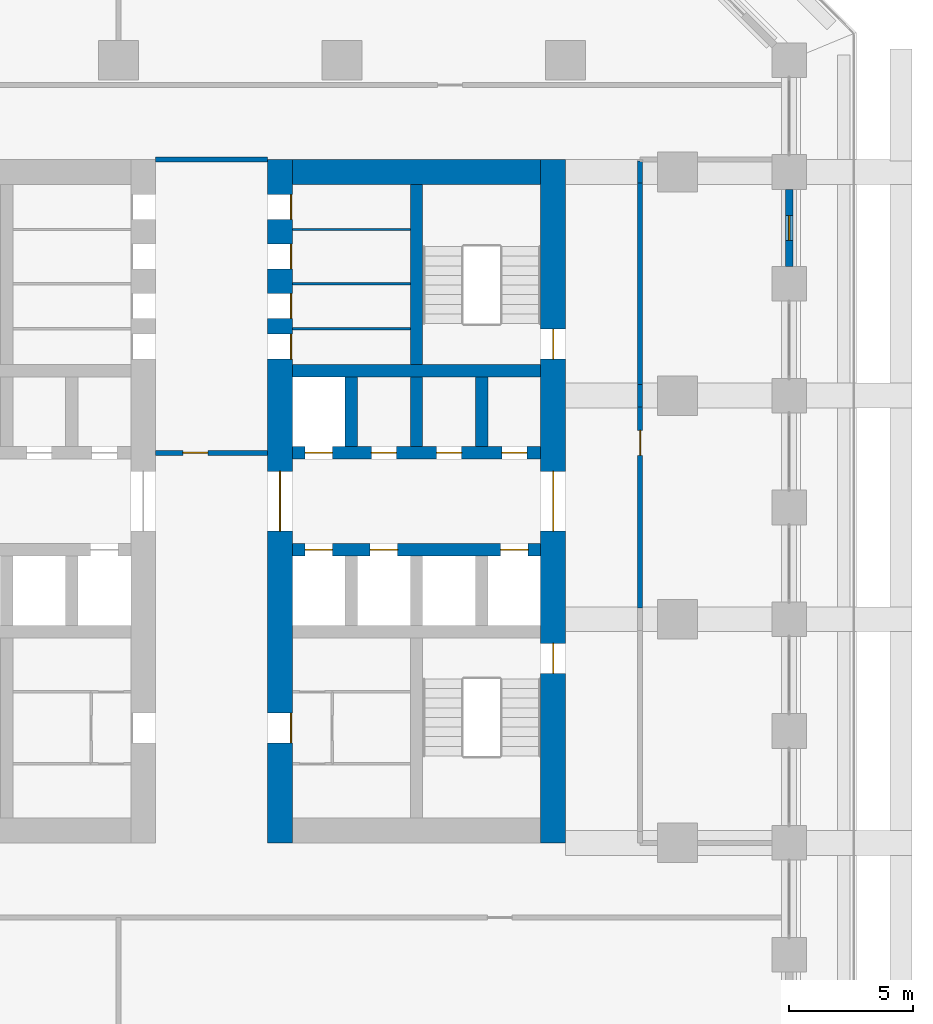
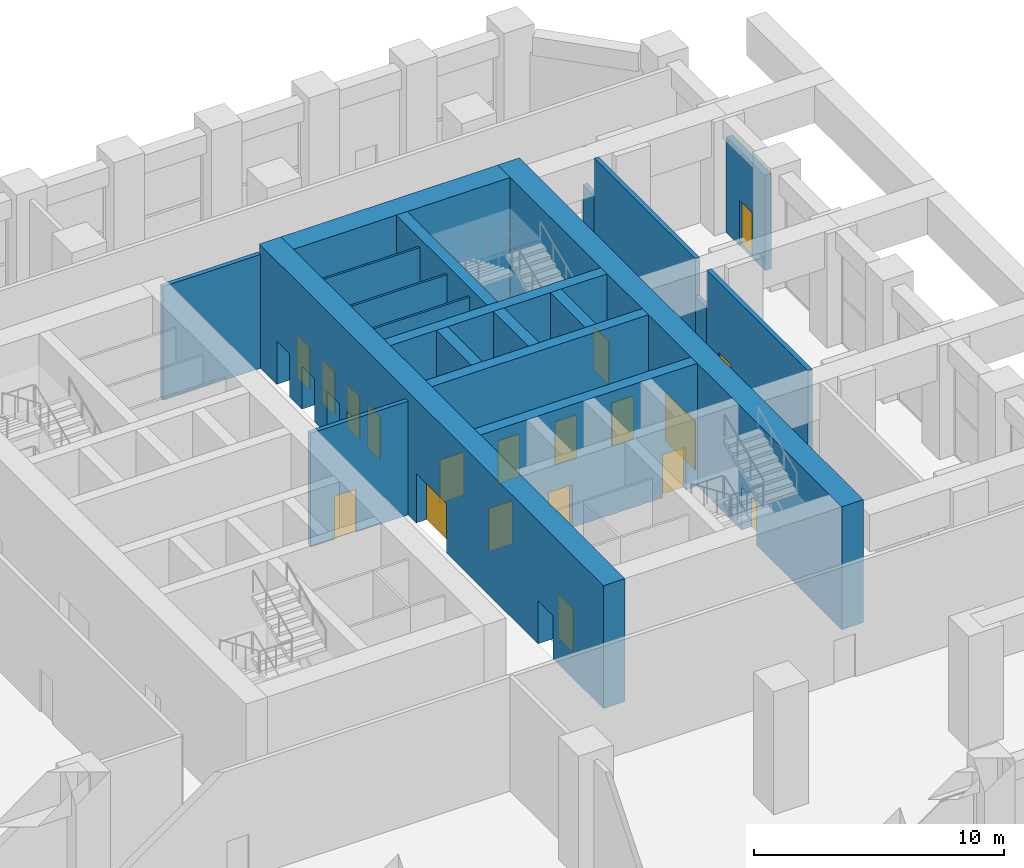
# One storey, part 14 of 21: 20 walls, 19 doors, 19 openings.
"""IFC4 building model written with IfcOpenShell, lengths in metres."""

from ifc_helpers import new_model, si_unit, direction, frame, frame_2d, origin, place, context, subcontext, project, spatial, rectangle, extrude, material, layer, layer_set, type_object, element, fill, save


model = new_model("IFC4")

# Units and contexts
model_context = context("Model", 3, precision=1e-05, world=origin(), true_north=direction((0.0, 1.0)))
body_context = subcontext(model_context, "Body", "Model", "MODEL_VIEW")
ifc_project = project(units=[si_unit("LENGTHUNIT", "METRE"), si_unit("AREAUNIT", "SQUARE_METRE"), si_unit("VOLUMEUNIT", "CUBIC_METRE"), si_unit("PLANEANGLEUNIT", "RADIAN"), si_unit("MASSUNIT", "GRAM", prefix="KILO")], contexts=[model_context])

# Site, building, storey
site_placement = place(None, origin())
site = spatial("IfcSite", under=ifc_project, at=site_placement, CompositionType="ELEMENT")
building_placement = place(site_placement, origin())
building = spatial("IfcBuilding", under=site, at=building_placement, Name="Corbel Stack Research Tower", CompositionType="ELEMENT")
storey_placement = place(building_placement, frame((0.0, 0.0, 35.89990234375)))
storey = spatial("IfcBuildingStorey", under=building, at=storey_placement, Name="L08", CompositionType="ELEMENT", Elevation=35.89990234375)

# Wall, openings, doors
ifc_material_1 = material(Name="Concrete C70/85", Category="concrete")
ifc_layer_1 = layer(ifc_material_1, 1.0)
ifc_layer_set_1 = layer_set([ifc_layer_1], Name="Concrete C70/85")
wall_type_1 = type_object("IfcWallType", Name="CW-1000-70", PredefinedType="SHEAR", material=ifc_layer_set_1)
wall_1_placement = place(storey_placement, frame((6.5, -9.0, 0.0), z_axis=(0.0, 0.0, 1.0), x_axis=(0.0, 1.0, 0.0)))
wall_1 = element("IfcWall", 1, at=wall_1_placement, inside=storey, type_object=wall_type_1, Name="East core wall, west face L08", PredefinedType="SHEAR", context=body_context, shape_type="SweptSolid", body=[
    extrude(rectangle(XDim=27.5, YDim=1.0, at=frame_2d((13.75, 0.0))), origin(), (0.0, 0.0, 1.0), 6.0),
])
opening_1_placement = place(wall_1_placement, frame((12.550048828125, 0.0, 0.0)))
opening_1 = element("IfcOpeningElement", 2, at=opening_1_placement, cuts=wall_1, Name="Opening CD-E-W", PredefinedType="OPENING", context=body_context, shape_type="SweptSolid", body=[
    extrude(rectangle(XDim=2.39990234375, YDim=2.39990234375, at=frame_2d((1.199951171875, 1.199951171875))), frame((0.0, 0.510009765625, 0.0), z_axis=(0.0, -1.0, 0.0), x_axis=(1.0, 0.0, 0.0)), (0.0, 0.0, 1.0), 1.02001953125),
])
opening_2_placement = place(wall_1_placement, frame((4.02490234375, 0.0, 0.0)))
opening_2 = element("IfcOpeningElement", 3, at=opening_2_placement, cuts=wall_1, Name="Opening CR-E36-W1-1200", PredefinedType="OPENING", context=body_context, shape_type="SweptSolid", body=[
    extrude(rectangle(XDim=1.199951171875, YDim=2.10009765625, at=frame_2d((0.60009765625, 1.050048828125))), frame((0.0, 0.510009765625, 0.0), z_axis=(0.0, -1.0, 0.0), x_axis=(1.0, 0.0, 0.0)), (0.0, 0.0, 1.0), 1.02001953125),
])
opening_3_placement = place(wall_1_placement, frame((19.47509765625, 0.0, 0.0)))
opening_3 = element("IfcOpeningElement", 4, at=opening_3_placement, cuts=wall_1, Name="Opening CR-E36-R1-1000", PredefinedType="OPENING", context=body_context, shape_type="SweptSolid", body=[
    extrude(rectangle(XDim=1.0, YDim=2.10009765625, at=frame_2d((0.5, 1.050048828125))), frame((0.0, 0.510009765625, 0.0), z_axis=(0.0, -1.0, 0.0), x_axis=(1.0, 0.0, 0.0)), (0.0, 0.0, 1.0), 1.02001953125),
])
opening_4_placement = place(wall_1_placement, frame((21.106201171875, 0.0, 0.0)))
opening_4 = element("IfcOpeningElement", 5, at=opening_4_placement, cuts=wall_1, Name="Opening CR-E36-R2-1000", PredefinedType="OPENING", context=body_context, shape_type="SweptSolid", body=[
    extrude(rectangle(XDim=1.0, YDim=2.10009765625, at=frame_2d((0.5, 1.050048828125))), frame((0.0, 0.510009765625, 0.0), z_axis=(0.0, -1.0, 0.0), x_axis=(1.0, 0.0, 0.0)), (0.0, 0.0, 1.0), 1.02001953125),
])
opening_5_placement = place(wall_1_placement, frame((23.10009765625, 0.0, 0.0)))
opening_5 = element("IfcOpeningElement", 6, at=opening_5_placement, cuts=wall_1, Name="Opening CR-E36-R3-1000", PredefinedType="OPENING", context=body_context, shape_type="SweptSolid", body=[
    extrude(rectangle(XDim=1.0, YDim=2.10009765625, at=frame_2d((0.5, 1.050048828125))), frame((0.0, 0.510009765625, 0.0), z_axis=(0.0, -1.0, 0.0), x_axis=(1.0, 0.0, 0.0)), (0.0, 0.0, 1.0), 1.02001953125),
])
opening_6_placement = place(wall_1_placement, frame((25.09375, 0.0, 0.0)))
opening_6 = element("IfcOpeningElement", 7, at=opening_6_placement, cuts=wall_1, Name="Opening CR-E36-R4-1000", PredefinedType="OPENING", context=body_context, shape_type="SweptSolid", body=[
    extrude(rectangle(XDim=1.0, YDim=2.10009765625, at=frame_2d((0.5, 1.050048828125))), frame((0.0, 0.510009765625, 0.0), z_axis=(0.0, -1.0, 0.0), x_axis=(1.0, 0.0, 0.0)), (0.0, 0.0, 1.0), 1.02001953125),
])
ifc_material_2 = material(Name="Painted steel fire door", Category="steel")
door_type_1 = type_object("IfcDoorType", Name="Lobby door pair 2400 x 2400 FD30S", OperationType="DOUBLE_DOOR_DOUBLE_SWING", PredefinedType="DOOR", material=ifc_material_2)
door_1_placement = place(opening_1_placement, origin())
door_1 = element("IfcDoor", 8, at=door_1_placement, inside=storey, type_object=door_type_1, Name="Lift lobby door E core W", OperationType="DOUBLE_DOOR_DOUBLE_SWING", OverallHeight=2.39990234375, OverallWidth=2.39990234375, PredefinedType="DOOR", context=body_context, shape_type="SweptSolid", body=[
    extrude(rectangle(XDim=2.39990234375, YDim=2.39990234375, at=frame_2d((1.199951171875, 1.199951171875))), frame((0.0, 0.02490234375, 0.0), z_axis=(0.0, -1.0, 0.0), x_axis=(1.0, 0.0, 0.0)), (0.0, 0.0, 1.0), 0.050048828125),
])
fill(opening_1, door_1)
ifc_material_3 = material(Name="Painted steel door", Category="steel")
door_type_2 = type_object("IfcDoorType", Name="Riser door 1000 x 2100 FD60 left hand", OperationType="SINGLE_SWING_LEFT", PredefinedType="DOOR", material=ifc_material_3)
door_2_placement = place(opening_4_placement, origin())
door_2 = element("IfcDoor", 9, at=door_2_placement, inside=storey, type_object=door_type_2, Name="Telecom room door E core", OperationType="SINGLE_SWING_LEFT", OverallHeight=2.10009765625, OverallWidth=1.0, PredefinedType="DOOR", context=body_context, shape_type="SweptSolid", body=[
    extrude(rectangle(XDim=1.0, YDim=2.10009765625, at=frame_2d((0.5, 1.050048828125))), frame((0.0, -0.4248046875, 0.0), z_axis=(0.0, -1.0, 0.0), x_axis=(1.0, 0.0, 0.0)), (0.0, 0.0, 1.0), 0.050048828125),
])
fill(opening_4, door_2)
ifc_material_4 = material(Name="Painted steel door", Category="steel")
door_type_3 = type_object("IfcDoorType", Name="Riser door 1000 x 2100 FD60 right hand", OperationType="SINGLE_SWING_RIGHT", PredefinedType="DOOR", material=ifc_material_4)
door_3_placement = place(opening_3_placement, origin())
door_3 = element("IfcDoor", 10, at=door_3_placement, inside=storey, type_object=door_type_3, Name="Electrical riser door E core", OperationType="SINGLE_SWING_RIGHT", OverallHeight=2.10009765625, OverallWidth=1.0, PredefinedType="DOOR", context=body_context, shape_type="SweptSolid", body=[
    extrude(rectangle(XDim=1.0, YDim=2.10009765625, at=frame_2d((0.5, 1.050048828125))), frame((0.0, -0.4248046875, 0.0), z_axis=(0.0, -1.0, 0.0), x_axis=(1.0, 0.0, 0.0)), (0.0, 0.0, 1.0), 0.050048828125),
])
fill(opening_3, door_3)
ifc_material_5 = material(Name="Painted steel door", Category="steel")
door_type_4 = type_object("IfcDoorType", Name="Service door 1000 x 2100 FD30 left hand", OperationType="SINGLE_SWING_LEFT", PredefinedType="DOOR", material=ifc_material_5)
door_4_placement = place(opening_6_placement, origin())
door_4 = element("IfcDoor", 11, at=door_4_placement, inside=storey, type_object=door_type_4, Name="Cleaner's store door E core", OperationType="SINGLE_SWING_LEFT", OverallHeight=2.10009765625, OverallWidth=1.0, PredefinedType="DOOR", context=body_context, shape_type="SweptSolid", body=[
    extrude(rectangle(XDim=1.0, YDim=2.10009765625, at=frame_2d((0.5, 1.050048828125))), frame((0.0, -0.4248046875, 0.0), z_axis=(0.0, -1.0, 0.0), x_axis=(1.0, 0.0, 0.0)), (0.0, 0.0, 1.0), 0.050048828125),
])
fill(opening_6, door_4)
ifc_material_6 = material(Name="Painted steel door", Category="steel")
door_type_5 = type_object("IfcDoorType", Name="Service door 1000 x 2100 FD30 right hand", OperationType="SINGLE_SWING_RIGHT", PredefinedType="DOOR", material=ifc_material_6)
door_5_placement = place(opening_5_placement, origin())
door_5 = element("IfcDoor", 12, at=door_5_placement, inside=storey, type_object=door_type_5, Name="Pantry door E core", OperationType="SINGLE_SWING_RIGHT", OverallHeight=2.10009765625, OverallWidth=1.0, PredefinedType="DOOR", context=body_context, shape_type="SweptSolid", body=[
    extrude(rectangle(XDim=1.0, YDim=2.10009765625, at=frame_2d((0.5, 1.050048828125))), frame((0.0, -0.4248046875, 0.0), z_axis=(0.0, -1.0, 0.0), x_axis=(1.0, 0.0, 0.0)), (0.0, 0.0, 1.0), 0.050048828125),
])
fill(opening_5, door_5)
ifc_material_7 = material(Name="Painted timber door", Category="wood")
door_type_6 = type_object("IfcDoorType", Name="WC door 1200 x 2100 right hand", OperationType="SINGLE_SWING_RIGHT", PredefinedType="DOOR", material=ifc_material_7)
door_6_placement = place(opening_2_placement, origin())
door_6 = element("IfcDoor", 13, at=door_6_placement, inside=storey, type_object=door_type_6, Name="WC lobby door E core", OperationType="SINGLE_SWING_RIGHT", OverallHeight=2.10009765625, OverallWidth=1.199951171875, PredefinedType="DOOR", context=body_context, shape_type="SweptSolid", body=[
    extrude(rectangle(XDim=1.199951171875, YDim=2.10009765625, at=frame_2d((0.60009765625, 1.050048828125))), frame((0.0, -0.4248046875, 0.0), z_axis=(0.0, -1.0, 0.0), x_axis=(1.0, 0.0, 0.0)), (0.0, 0.0, 1.0), 0.050048828125),
])
fill(opening_2, door_6)

wall_2_placement = place(storey_placement, frame((17.5, -9.0, 0.0), z_axis=(0.0, 0.0, 1.0), x_axis=(0.0, 1.0, 0.0)))
wall_2 = element("IfcWall", 14, at=wall_2_placement, inside=storey, type_object=wall_type_1, Name="East core wall, east face L08", PredefinedType="SHEAR", context=body_context, shape_type="SweptSolid", body=[
    extrude(rectangle(XDim=27.5, YDim=1.0, at=frame_2d((13.75, 0.0))), origin(), (0.0, 0.0, 1.0), 6.0),
])
opening_7_placement = place(wall_2_placement, frame((12.550048828125, 0.0, 0.0)))
opening_7 = element("IfcOpeningElement", 15, at=opening_7_placement, cuts=wall_2, Name="Opening CD-E-E", PredefinedType="OPENING", context=body_context, shape_type="SweptSolid", body=[
    extrude(rectangle(XDim=2.39990234375, YDim=2.39990234375, at=frame_2d((1.199951171875, 1.199951171875))), frame((0.0, 0.510009765625, 0.0), z_axis=(0.0, -1.0, 0.0), x_axis=(1.0, 0.0, 0.0)), (0.0, 0.0, 1.0), 1.02001953125),
])
opening_8_placement = place(wall_2_placement, frame((6.824951171875, 0.0, 0.0)))
opening_8 = element("IfcOpeningElement", 16, at=opening_8_placement, cuts=wall_2, Name="Opening SD-ST-E1", PredefinedType="OPENING", context=body_context, shape_type="SweptSolid", body=[
    extrude(rectangle(XDim=1.199951171875, YDim=2.10009765625, at=frame_2d((0.60009765625, 1.050048828125))), frame((0.0, 0.510009765625, 0.0), z_axis=(0.0, -1.0, 0.0), x_axis=(1.0, 0.0, 0.0)), (0.0, 0.0, 1.0), 1.02001953125),
])
opening_9_placement = place(wall_2_placement, frame((19.47509765625, 0.0, 0.0)))
opening_9 = element("IfcOpeningElement", 17, at=opening_9_placement, cuts=wall_2, Name="Opening SD-ST-E2", PredefinedType="OPENING", context=body_context, shape_type="SweptSolid", body=[
    extrude(rectangle(XDim=1.199951171875, YDim=2.10009765625, at=frame_2d((0.60009765625, 1.050048828125))), frame((0.0, 0.510009765625, 0.0), z_axis=(0.0, -1.0, 0.0), x_axis=(1.0, 0.0, 0.0)), (0.0, 0.0, 1.0), 1.02001953125),
])
door_7_placement = place(opening_7_placement, origin())
door_7 = element("IfcDoor", 18, at=door_7_placement, inside=storey, type_object=door_type_1, Name="Lift lobby door E core E", OperationType="DOUBLE_DOOR_DOUBLE_SWING", OverallHeight=2.39990234375, OverallWidth=2.39990234375, PredefinedType="DOOR", context=body_context, shape_type="SweptSolid", body=[
    extrude(rectangle(XDim=2.39990234375, YDim=2.39990234375, at=frame_2d((1.199951171875, 1.199951171875))), frame((0.0, 0.02490234375, 0.0), z_axis=(0.0, -1.0, 0.0), x_axis=(1.0, 0.0, 0.0)), (0.0, 0.0, 1.0), 0.050048828125),
])
fill(opening_7, door_7)
ifc_material_8 = material(Name="Painted steel fire door", Category="steel")
door_type_7 = type_object("IfcDoorType", Name="Stair door 1200 x 2100 FD90 right hand", OperationType="SINGLE_SWING_RIGHT", PredefinedType="DOOR", material=ifc_material_8)
door_8_placement = place(opening_8_placement, frame((1.199951171875, 0.0, 0.0), z_axis=(0.0, 0.0, 1.0), x_axis=(-1.0, 0.0, 0.0)))
door_8 = element("IfcDoor", 19, at=door_8_placement, inside=storey, type_object=door_type_7, Name="Stair door ST-E1", OperationType="SINGLE_SWING_LEFT", OverallHeight=2.10009765625, OverallWidth=1.199951171875, PredefinedType="DOOR", context=body_context, shape_type="SweptSolid", body=[
    extrude(rectangle(XDim=1.199951171875, YDim=2.10009765625, at=frame_2d((0.60009765625, 1.050048828125))), frame((0.0, 0.02490234375, 0.0), z_axis=(0.0, -1.0, 0.0), x_axis=(1.0, 0.0, 0.0)), (0.0, 0.0, 1.0), 0.050048828125),
])
fill(opening_8, door_8)
door_9_placement = place(opening_9_placement, frame((1.199951171875, 0.0, 0.0), z_axis=(0.0, 0.0, 1.0), x_axis=(-1.0, 0.0, 0.0)))
door_9 = element("IfcDoor", 20, at=door_9_placement, inside=storey, type_object=door_type_7, Name="Stair door ST-E2", OperationType="SINGLE_SWING_LEFT", OverallHeight=2.10009765625, OverallWidth=1.199951171875, PredefinedType="DOOR", context=body_context, shape_type="SweptSolid", body=[
    extrude(rectangle(XDim=1.199951171875, YDim=2.10009765625, at=frame_2d((0.60009765625, 1.050048828125))), frame((0.0, 0.02490234375, 0.0), z_axis=(0.0, -1.0, 0.0), x_axis=(1.0, 0.0, 0.0)), (0.0, 0.0, 1.0), 0.050048828125),
])
fill(opening_9, door_9)

# Wall
wall_3_placement = place(storey_placement, frame((7.0, 18.0, 0.0), z_axis=(0.0, 0.0, 1.0), x_axis=(1.0, 0.0, 0.0)))
element("IfcWall", 21, at=wall_3_placement, inside=storey, type_object=wall_type_1, Name="East core wall, north end L08", PredefinedType="SHEAR", context=body_context, shape_type="SweptSolid", body=[
    extrude(rectangle(XDim=10.0, YDim=1.0, at=frame_2d((5.0, 0.0))), origin(), (0.0, 0.0, 1.0), 6.0),
])

# Wall, openings, doors
ifc_material_9 = material(Name="Concrete C70/85", Category="concrete")
ifc_layer_2 = layer(ifc_material_9, 0.5)
ifc_layer_set_2 = layer_set([ifc_layer_2], Name="Concrete C70/85")
wall_type_2 = type_object("IfcWallType", Name="CW-500-70", PredefinedType="SHEAR", material=ifc_layer_set_2)
wall_4_placement = place(storey_placement, frame((7.0, 2.800048828125, 0.0), z_axis=(0.0, 0.0, 1.0), x_axis=(1.0, 0.0, 0.0)))
wall_4 = element("IfcWall", 22, at=wall_4_placement, inside=storey, type_object=wall_type_2, Name="East core wall, lobby south L08", PredefinedType="SHEAR", context=body_context, shape_type="SweptSolid", body=[
    extrude(rectangle(XDim=10.0, YDim=0.5, at=frame_2d((5.0, 0.0))), origin(), (0.0, 0.0, 1.0), 6.0),
])
opening_10_placement = place(wall_4_placement, frame((0.512451171875, 0.0, 0.0)))
opening_10 = element("IfcOpeningElement", 23, at=opening_10_placement, cuts=wall_4, Name="Opening LD-FS2", PredefinedType="OPENING", context=body_context, shape_type="SweptSolid", body=[
    extrude(rectangle(XDim=1.10009765625, YDim=2.10009765625, at=frame_2d((0.550048828125, 1.050048828125))), frame((0.0, 0.260009765625, 0.0), z_axis=(0.0, -1.0, 0.0), x_axis=(1.0, 0.0, 0.0)), (0.0, 0.0, 1.0), 0.52001953125),
])
opening_11_placement = place(wall_4_placement, frame((3.137451171875, 0.0, 0.0)))
opening_11 = element("IfcOpeningElement", 24, at=opening_11_placement, cuts=wall_4, Name="Opening LD-GL2", PredefinedType="OPENING", context=body_context, shape_type="SweptSolid", body=[
    extrude(rectangle(XDim=1.10009765625, YDim=2.10009765625, at=frame_2d((0.550048828125, 1.050048828125))), frame((0.0, 0.260009765625, 0.0), z_axis=(0.0, -1.0, 0.0), x_axis=(1.0, 0.0, 0.0)), (0.0, 0.0, 1.0), 0.52001953125),
])
opening_12_placement = place(wall_4_placement, frame((8.387451171875, 0.0, 0.0)))
opening_12 = element("IfcOpeningElement", 25, at=opening_12_placement, cuts=wall_4, Name="Opening LD-LR3", PredefinedType="OPENING", context=body_context, shape_type="SweptSolid", body=[
    extrude(rectangle(XDim=1.10009765625, YDim=2.10009765625, at=frame_2d((0.550048828125, 1.050048828125))), frame((0.0, 0.260009765625, 0.0), z_axis=(0.0, -1.0, 0.0), x_axis=(1.0, 0.0, 0.0)), (0.0, 0.0, 1.0), 0.52001953125),
])
ifc_material_10 = material(Name="Stainless steel landing door", Category="steel")
door_type_8 = type_object("IfcDoorType", Name="Lift landing door 1100 x 2100", OperationType="DOUBLE_DOOR_SLIDING", PredefinedType="DOOR", material=ifc_material_10)
door_10_placement = place(opening_10_placement, origin())
door_10 = element("IfcDoor", 26, at=door_10_placement, inside=storey, type_object=door_type_8, Name="Landing door FS2", OperationType="DOUBLE_DOOR_SLIDING", OverallHeight=2.10009765625, OverallWidth=1.10009765625, PredefinedType="DOOR", context=body_context, shape_type="SweptSolid", body=[
    extrude(rectangle(XDim=1.10009765625, YDim=2.10009765625, at=frame_2d((0.550048828125, 1.050048828125))), frame((0.0, 0.02490234375, 0.0), z_axis=(0.0, -1.0, 0.0), x_axis=(1.0, 0.0, 0.0)), (0.0, 0.0, 1.0), 0.050048828125),
])
fill(opening_10, door_10)
door_11_placement = place(opening_11_placement, origin())
door_11 = element("IfcDoor", 27, at=door_11_placement, inside=storey, type_object=door_type_8, Name="Landing door GL2", OperationType="DOUBLE_DOOR_SLIDING", OverallHeight=2.10009765625, OverallWidth=1.10009765625, PredefinedType="DOOR", context=body_context, shape_type="SweptSolid", body=[
    extrude(rectangle(XDim=1.10009765625, YDim=2.10009765625, at=frame_2d((0.550048828125, 1.050048828125))), frame((0.0, 0.02490234375, 0.0), z_axis=(0.0, -1.0, 0.0), x_axis=(1.0, 0.0, 0.0)), (0.0, 0.0, 1.0), 0.050048828125),
])
fill(opening_11, door_11)
door_12_placement = place(opening_12_placement, origin())
door_12 = element("IfcDoor", 28, at=door_12_placement, inside=storey, type_object=door_type_8, Name="Landing door LR3", OperationType="DOUBLE_DOOR_SLIDING", OverallHeight=2.10009765625, OverallWidth=1.10009765625, PredefinedType="DOOR", context=body_context, shape_type="SweptSolid", body=[
    extrude(rectangle(XDim=1.10009765625, YDim=2.10009765625, at=frame_2d((0.550048828125, 1.050048828125))), frame((0.0, 0.02490234375, 0.0), z_axis=(0.0, -1.0, 0.0), x_axis=(1.0, 0.0, 0.0)), (0.0, 0.0, 1.0), 0.050048828125),
])
fill(opening_12, door_12)

wall_5_placement = place(storey_placement, frame((7.0, 6.699951171875, 0.0), z_axis=(0.0, 0.0, 1.0), x_axis=(1.0, 0.0, 0.0)))
wall_5 = element("IfcWall", 29, at=wall_5_placement, inside=storey, type_object=wall_type_2, Name="East core wall, lobby north L08", PredefinedType="SHEAR", context=body_context, shape_type="SweptSolid", body=[
    extrude(rectangle(XDim=10.0, YDim=0.5, at=frame_2d((5.0, 0.0))), origin(), (0.0, 0.0, 1.0), 6.0),
])
opening_13_placement = place(wall_5_placement, frame((0.512451171875, 0.0, 0.0)))
opening_13 = element("IfcOpeningElement", 30, at=opening_13_placement, cuts=wall_5, Name="Opening LD-LR4", PredefinedType="OPENING", context=body_context, shape_type="SweptSolid", body=[
    extrude(rectangle(XDim=1.10009765625, YDim=2.10009765625, at=frame_2d((0.550048828125, 1.050048828125))), frame((0.0, 0.260009765625, 0.0), z_axis=(0.0, -1.0, 0.0), x_axis=(1.0, 0.0, 0.0)), (0.0, 0.0, 1.0), 0.52001953125),
])
opening_14_placement = place(wall_5_placement, frame((3.1875, 0.0, 0.0)))
opening_14 = element("IfcOpeningElement", 31, at=opening_14_placement, cuts=wall_5, Name="Opening CR-E36-N2", PredefinedType="OPENING", context=body_context, shape_type="SweptSolid", body=[
    extrude(rectangle(XDim=1.0, YDim=2.10009765625, at=frame_2d((0.5, 1.050048828125))), frame((0.0, 0.260009765625, 0.0), z_axis=(0.0, -1.0, 0.0), x_axis=(1.0, 0.0, 0.0)), (0.0, 0.0, 1.0), 0.52001953125),
])
opening_15_placement = place(wall_5_placement, frame((5.8125, 0.0, 0.0)))
opening_15 = element("IfcOpeningElement", 32, at=opening_15_placement, cuts=wall_5, Name="Opening CR-E36-N3", PredefinedType="OPENING", context=body_context, shape_type="SweptSolid", body=[
    extrude(rectangle(XDim=1.0, YDim=2.10009765625, at=frame_2d((0.5, 1.050048828125))), frame((0.0, 0.260009765625, 0.0), z_axis=(0.0, -1.0, 0.0), x_axis=(1.0, 0.0, 0.0)), (0.0, 0.0, 1.0), 0.52001953125),
])
opening_16_placement = place(wall_5_placement, frame((8.4375, 0.0, 0.0)))
opening_16 = element("IfcOpeningElement", 33, at=opening_16_placement, cuts=wall_5, Name="Opening CR-E36-N4", PredefinedType="OPENING", context=body_context, shape_type="SweptSolid", body=[
    extrude(rectangle(XDim=1.0, YDim=2.10009765625, at=frame_2d((0.5, 1.050048828125))), frame((0.0, 0.260009765625, 0.0), z_axis=(0.0, -1.0, 0.0), x_axis=(1.0, 0.0, 0.0)), (0.0, 0.0, 1.0), 0.52001953125),
])
door_13_placement = place(opening_13_placement, origin())
door_13 = element("IfcDoor", 34, at=door_13_placement, inside=storey, type_object=door_type_8, Name="Landing door LR4", OperationType="DOUBLE_DOOR_SLIDING", OverallHeight=2.10009765625, OverallWidth=1.10009765625, PredefinedType="DOOR", context=body_context, shape_type="SweptSolid", body=[
    extrude(rectangle(XDim=1.10009765625, YDim=2.10009765625, at=frame_2d((0.550048828125, 1.050048828125))), frame((0.0, 0.02490234375, 0.0), z_axis=(0.0, -1.0, 0.0), x_axis=(1.0, 0.0, 0.0)), (0.0, 0.0, 1.0), 0.050048828125),
])
fill(opening_13, door_13)
ifc_material_11 = material(Name="Painted steel door", Category="steel")
door_type_9 = type_object("IfcDoorType", Name="Service door 1000 x 2100 FD60 left hand", OperationType="SINGLE_SWING_LEFT", PredefinedType="DOOR", material=ifc_material_11)
door_14_placement = place(opening_15_placement, origin())
door_14 = element("IfcDoor", 35, at=door_14_placement, inside=storey, type_object=door_type_9, Name="Pantry door E core", OperationType="SINGLE_SWING_LEFT", OverallHeight=2.10009765625, OverallWidth=1.0, PredefinedType="DOOR", context=body_context, shape_type="SweptSolid", body=[
    extrude(rectangle(XDim=1.0, YDim=2.10009765625, at=frame_2d((0.5, 1.050048828125))), frame((0.0, 0.02490234375, 0.0), z_axis=(0.0, -1.0, 0.0), x_axis=(1.0, 0.0, 0.0)), (0.0, 0.0, 1.0), 0.050048828125),
])
fill(opening_15, door_14)
ifc_material_12 = material(Name="Painted steel door", Category="steel")
door_type_10 = type_object("IfcDoorType", Name="Service door 1000 x 2100 FD60 right hand", OperationType="SINGLE_SWING_RIGHT", PredefinedType="DOOR", material=ifc_material_12)
door_15_placement = place(opening_14_placement, origin())
door_15 = element("IfcDoor", 36, at=door_15_placement, inside=storey, type_object=door_type_10, Name="Electrical room door E core", OperationType="SINGLE_SWING_RIGHT", OverallHeight=2.10009765625, OverallWidth=1.0, PredefinedType="DOOR", context=body_context, shape_type="SweptSolid", body=[
    extrude(rectangle(XDim=1.0, YDim=2.10009765625, at=frame_2d((0.5, 1.050048828125))), frame((0.0, 0.02490234375, 0.0), z_axis=(0.0, -1.0, 0.0), x_axis=(1.0, 0.0, 0.0)), (0.0, 0.0, 1.0), 0.050048828125),
])
fill(opening_14, door_15)
door_16_placement = place(opening_16_placement, origin())
door_16 = element("IfcDoor", 37, at=door_16_placement, inside=storey, type_object=door_type_10, Name="Staff WC door E core", OperationType="SINGLE_SWING_RIGHT", OverallHeight=2.10009765625, OverallWidth=1.0, PredefinedType="DOOR", context=body_context, shape_type="SweptSolid", body=[
    extrude(rectangle(XDim=1.0, YDim=2.10009765625, at=frame_2d((0.5, 1.050048828125))), frame((0.0, 0.02490234375, 0.0), z_axis=(0.0, -1.0, 0.0), x_axis=(1.0, 0.0, 0.0)), (0.0, 0.0, 1.0), 0.050048828125),
])
fill(opening_16, door_16)

# Walls
wall_6_placement = place(storey_placement, frame((7.0, 10.0, 0.0), z_axis=(0.0, 0.0, 1.0), x_axis=(1.0, 0.0, 0.0)))
element("IfcWall", 38, at=wall_6_placement, inside=storey, type_object=wall_type_2, Name="East core wall, north row back L08", PredefinedType="SHEAR", context=body_context, shape_type="SweptSolid", body=[
    extrude(rectangle(XDim=10.0, YDim=0.5, at=frame_2d((5.0, 0.0))), origin(), (0.0, 0.0, 1.0), 6.0),
])
for number, where, z_axis, x_axis, name in (
    (39, (9.375, 6.949951171875, 0.0), (0.0, 0.0, 1.0), (0.0, 1.0, 0.0), "East core wall, north shaft 1 L08"),
    (40, (12.0, 6.949951171875, 0.0), (0.0, 0.0, 1.0), (0.0, 1.0, 0.0), "East core wall, north shaft 2 L08"),
    (41, (14.625, 6.949951171875, 0.0), (0.0, 0.0, 1.0), (0.0, 1.0, 0.0), "East core wall, north shaft 3 L08"),
):
    element("IfcWall", number, at=place(storey_placement, frame(where, z_axis=z_axis, x_axis=x_axis)), inside=storey, type_object=wall_type_2, Name=name, PredefinedType="SHEAR", context=body_context, shape_type="SweptSolid", body=[
        extrude(rectangle(XDim=2.800048828125, YDim=0.5, at=frame_2d((1.39990234375, 0.0))), origin(), (0.0, 0.0, 1.0), 6.0),
    ])
wall_7_placement = place(storey_placement, frame((12.0, 10.25, 0.0), z_axis=(0.0, 0.0, 1.0), x_axis=(0.0, 1.0, 0.0)))
element("IfcWall", 42, at=wall_7_placement, inside=storey, type_object=wall_type_2, Name="East core wall, north stair and riser L08", PredefinedType="SHEAR", context=body_context, shape_type="SweptSolid", body=[
    extrude(rectangle(XDim=7.25, YDim=0.5, at=frame_2d((3.625, 0.0))), origin(), (0.0, 0.0, 1.0), 6.0),
])
ifc_material_13 = material(Name="Gypsum board")
ifc_layer_3 = layer(ifc_material_13, 0.10009765625)
ifc_layer_set_3 = layer_set([ifc_layer_3], Name="Gypsum board")
wall_type_3 = type_object("IfcWallType", Name="Core partition 100", PredefinedType="PARTITIONING", material=ifc_layer_set_3)
for number, where, z_axis, x_axis, name in (
    (43, (7.0, 11.699951171875, 0.0), (0.0, 0.0, 1.0), (1.0, 0.0, 0.0), "Core partition E"),
    (44, (7.0, 13.512451171875, 0.0), (0.0, 0.0, 1.0), (1.0, 0.0, 0.0), "Core partition E"),
    (45, (7.0, 15.6875, 0.0), (0.0, 0.0, 1.0), (1.0, 0.0, 0.0), "Core partition E"),
):
    element("IfcWall", number, at=place(storey_placement, frame(where, z_axis=z_axis, x_axis=x_axis)), inside=storey, type_object=wall_type_3, Name=name, PredefinedType="PARTITIONING", context=body_context, shape_type="SweptSolid", body=[
        extrude(rectangle(XDim=4.75, YDim=0.10009765625, at=frame_2d((2.375, 0.0))), origin(), (0.0, 0.0, 1.0), 5.550048828125),
    ])

# Wall, opening, door
ifc_material_14 = material(Name="Fire-rated gypsum board partition on steel studs", Category="steel")
ifc_layer_4 = layer(ifc_material_14, 0.199951171875)
ifc_layer_set_4 = layer_set([ifc_layer_4], Name="Fire-rated gypsum board partition on steel studs")
wall_type_4 = type_object("IfcWallType", Name="Fire-rated partition 200 EI 60", PredefinedType="PARTITIONING", material=ifc_layer_set_4)
wall_8_placement = place(storey_placement, frame((21.0, 8.550048828125, 0.0), z_axis=(0.0, 0.0, 1.0), x_axis=(0.0, -1.0, 0.0)))
wall_8 = element("IfcWall", 46, at=wall_8_placement, inside=storey, type_object=wall_type_4, Name="Partition L08-008", PredefinedType="PARTITIONING", context=body_context, shape_type="SweptSolid", body=[
    extrude(rectangle(XDim=8.10009765625, YDim=0.199951171875, at=frame_2d((4.050048828125, 0.0))), origin(), (0.0, 0.0, 1.0), 5.550048828125),
])
opening_17_placement = place(wall_8_placement, frame((0.949951171875, 0.0, 0.0)))
opening_17 = element("IfcOpeningElement", 47, at=opening_17_placement, cuts=wall_8, Name="Opening B1AM-005", PredefinedType="OPENING", context=body_context, shape_type="SweptSolid", body=[
    extrude(rectangle(XDim=1.0, YDim=2.10009765625, at=frame_2d((0.5, 1.050048828125))), frame((0.0, 0.10986328125, 0.0), z_axis=(0.0, -1.0, 0.0), x_axis=(1.0, 0.0, 0.0)), (0.0, 0.0, 1.0), 0.219970703125),
])
ifc_material_15 = material(Name="Painted steel fire door", Category="steel")
door_type_11 = type_object("IfcDoorType", Name="Fire door FD30S 1000 x 2100", OperationType="NOTDEFINED", PredefinedType="DOOR", material=ifc_material_15)
door_17_placement = place(opening_17_placement, origin())
door_17 = element("IfcDoor", 48, at=door_17_placement, inside=storey, type_object=door_type_11, Name="Door B1AM-005", OperationType="SINGLE_SWING_LEFT", OverallHeight=2.10009765625, OverallWidth=1.0, PredefinedType="DOOR", context=body_context, shape_type="SweptSolid", body=[
    extrude(rectangle(XDim=1.0, YDim=2.10009765625, at=frame_2d((0.5, 1.050048828125))), frame((0.0, 0.02490234375, 0.0), z_axis=(0.0, -1.0, 0.0), x_axis=(1.0, 0.0, 0.0)), (0.0, 0.0, 1.0), 0.050048828125),
])
fill(opening_17, door_17)

# Walls
wall_9_placement = place(storey_placement, frame((21.0, 8.550048828125, 0.0), z_axis=(0.0, 0.0, 1.0), x_axis=(0.0, 1.0, 0.0)))
element("IfcWall", 49, at=wall_9_placement, inside=storey, type_object=wall_type_4, Name="Partition L08-009", PredefinedType="PARTITIONING", context=body_context, shape_type="SweptSolid", body=[
    extrude(rectangle(XDim=0.89990234375, YDim=0.199951171875, at=frame_2d((0.449951171875, 0.0))), origin(), (0.0, 0.0, 1.0), 3.72021484375),
])
wall_10_placement = place(storey_placement, frame((21.0, 9.449951171875, 0.0), z_axis=(0.0, 0.0, 1.0), x_axis=(0.0, 1.0, 0.0)))
element("IfcWall", 50, at=wall_10_placement, inside=storey, type_object=wall_type_4, Name="Partition L08-010", PredefinedType="PARTITIONING", context=body_context, shape_type="SweptSolid", body=[
    extrude(rectangle(XDim=8.10009765625, YDim=0.199951171875, at=frame_2d((4.050048828125, 0.0))), origin(), (0.0, 0.0, 1.0), 5.550048828125),
])
wall_11_placement = place(storey_placement, frame((21.0, 17.550048828125, 0.0), z_axis=(0.0, 0.0, 1.0), x_axis=(0.0, 1.0, 0.0)))
element("IfcWall", 51, at=wall_11_placement, inside=storey, type_object=wall_type_4, Name="Partition L08-011", PredefinedType="PARTITIONING", context=body_context, shape_type="SweptSolid", body=[
    extrude(rectangle(XDim=0.89990234375, YDim=0.199951171875, at=frame_2d((0.449951171875, 0.0))), origin(), (0.0, 0.0, 1.0), 3.72021484375),
])

# Wall, opening, door
wall_12_placement = place(storey_placement, frame((1.5, 6.699951171875, 0.0), z_axis=(0.0, 0.0, 1.0), x_axis=(1.0, 0.0, 0.0)))
wall_12 = element("IfcWall", 52, at=wall_12_placement, inside=storey, type_object=wall_type_4, Name="Partition L08-020", PredefinedType="PARTITIONING", context=body_context, shape_type="SweptSolid", body=[
    extrude(rectangle(XDim=4.5, YDim=0.199951171875, at=frame_2d((2.25, 0.0))), origin(), (0.0, 0.0, 1.0), 5.550048828125),
])
opening_18_placement = place(wall_12_placement, frame((1.10009765625, 0.0, 0.0)))
opening_18 = element("IfcOpeningElement", 53, at=opening_18_placement, cuts=wall_12, Name="Opening B1AM-004", PredefinedType="OPENING", context=body_context, shape_type="SweptSolid", body=[
    extrude(rectangle(XDim=1.0, YDim=2.10009765625, at=frame_2d((0.5, 1.050048828125))), frame((0.0, 0.10986328125, 0.0), z_axis=(0.0, -1.0, 0.0), x_axis=(1.0, 0.0, 0.0)), (0.0, 0.0, 1.0), 0.219970703125),
])
door_18_placement = place(opening_18_placement, origin())
door_18 = element("IfcDoor", 54, at=door_18_placement, inside=storey, type_object=door_type_11, Name="Door B1AM-004", OperationType="SINGLE_SWING_LEFT", OverallHeight=2.10009765625, OverallWidth=1.0, PredefinedType="DOOR", context=body_context, shape_type="SweptSolid", body=[
    extrude(rectangle(XDim=1.0, YDim=2.10009765625, at=frame_2d((0.5, 1.050048828125))), frame((0.0, 0.02490234375, 0.0), z_axis=(0.0, -1.0, 0.0), x_axis=(1.0, 0.0, 0.0)), (0.0, 0.0, 1.0), 0.050048828125),
])
fill(opening_18, door_18)

# Wall
wall_13_placement = place(storey_placement, frame((1.5, 18.5, 0.0), z_axis=(0.0, 0.0, 1.0), x_axis=(1.0, 0.0, 0.0)))
element("IfcWall", 55, at=wall_13_placement, inside=storey, type_object=wall_type_4, Name="Partition L08-023", PredefinedType="PARTITIONING", context=body_context, shape_type="SweptSolid", body=[
    extrude(rectangle(XDim=4.5, YDim=0.199951171875, at=frame_2d((2.25, 0.0))), origin(), (0.0, 0.0, 1.0), 5.550048828125),
])

# Wall, opening, door
ifc_material_16 = material(Name="Concrete C45/55", Category="concrete")
ifc_layer_5 = layer(ifc_material_16, 0.300048828125)
ifc_layer_set_5 = layer_set([ifc_layer_5], Name="Concrete C45/55")
wall_type_5 = type_object("IfcWallType", Name="Terracotta-faced concrete wall 300", PredefinedType="SOLIDWALL", material=ifc_layer_set_5)
wall_14_placement = place(storey_placement, frame((27.0, 17.300048828125, 0.0), z_axis=(0.0, 0.0, 1.0), x_axis=(0.0, -1.0, 0.0)))
wall_14 = element("IfcWall", 56, at=wall_14_placement, inside=storey, type_object=wall_type_5, Name="Facade wall L08 E09", PredefinedType="SOLIDWALL", context=body_context, shape_type="SweptSolid", body=[
    extrude(rectangle(XDim=3.10009765625, YDim=0.300048828125, at=frame_2d((1.550048828125, 0.0))), origin(), (0.0, 0.0, 1.0), 4.650146484375),
])
opening_19_placement = place(wall_14_placement, frame((1.050048828125, 0.0, 0.0)))
opening_19 = element("IfcOpeningElement", 57, at=opening_19_placement, cuts=wall_14, Name="Opening L08-B05", PredefinedType="OPENING", context=body_context, shape_type="SweptSolid", body=[
    extrude(rectangle(XDim=1.0, YDim=2.199951171875, at=frame_2d((0.5, 1.10009765625))), frame((0.0, 0.159912109375, 0.0), z_axis=(0.0, -1.0, 0.0), x_axis=(1.0, 0.0, 0.0)), (0.0, 0.0, 1.0), 0.320068359375),
])
ifc_material_17 = material(Name="Aluminium frame, clear double glazing", Category="aluminium")
door_type_12 = type_object("IfcDoorType", Name="Balcony door BD1 1000 x 2200", OperationType="NOTDEFINED", PredefinedType="DOOR", material=ifc_material_17)
door_19_placement = place(opening_19_placement, origin())
door_19 = element("IfcDoor", 58, at=door_19_placement, inside=storey, type_object=door_type_12, Name="Balcony door L08-B05", OperationType="SINGLE_SWING_LEFT", OverallHeight=2.199951171875, OverallWidth=1.0, PredefinedType="DOOR", context=body_context, shape_type="SweptSolid", body=[
    extrude(rectangle(XDim=1.0, YDim=2.199951171875, at=frame_2d((0.5, 1.10009765625))), frame((0.0, 0.02490234375, 0.0), z_axis=(0.0, -1.0, 0.0), x_axis=(1.0, 0.0, 0.0)), (0.0, 0.0, 1.0), 0.050048828125),
])
fill(opening_19, door_19)

save(model, "model.ifc")
